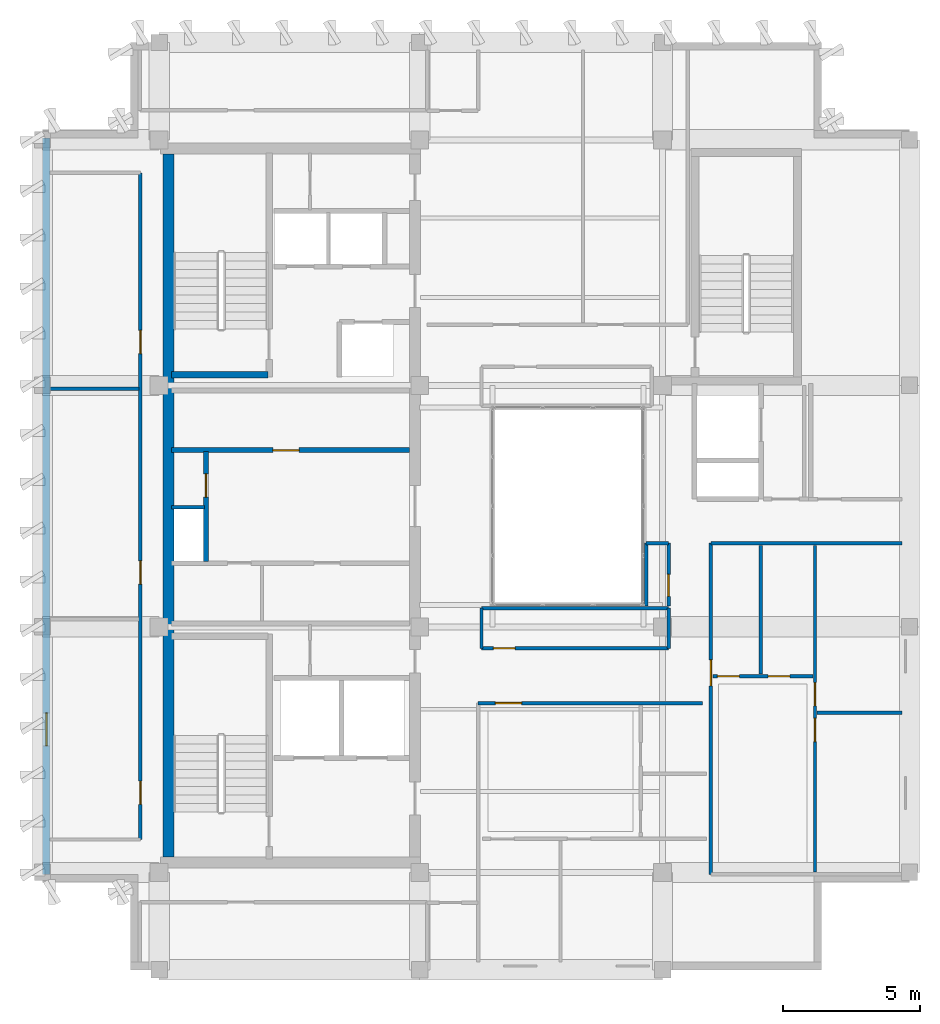
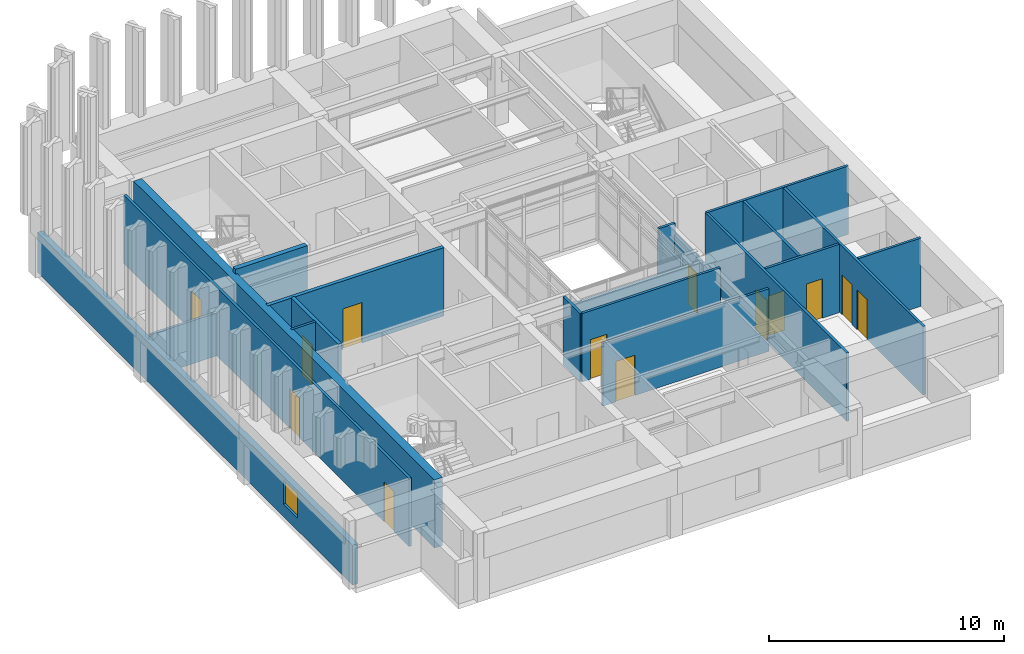
# One storey, part 7 of 11: 22 walls, 13 doors, 1 window, 14 openings.
"""IFC4 building model written with IfcOpenShell, lengths in metres."""

from ifc_helpers import new_model, si_unit, direction, frame, frame_2d, origin, place, context, subcontext, project, spatial, rectangle, extrude, material, layer, layer_set, type_object, element, fill, save


model = new_model("IFC4")

# Units and contexts
model_context = context("Model", 3, precision=1e-05, world=origin(), true_north=direction((0.0, 1.0)))
body_context = subcontext(model_context, "Body", "Model", "MODEL_VIEW")
ifc_project = project(units=[si_unit("LENGTHUNIT", "METRE"), si_unit("AREAUNIT", "SQUARE_METRE"), si_unit("VOLUMEUNIT", "CUBIC_METRE"), si_unit("PLANEANGLEUNIT", "RADIAN"), si_unit("MASSUNIT", "GRAM", prefix="KILO")], contexts=[model_context])

# Site, building, storey
site_placement = place(None, origin())
site = spatial("IfcSite", under=ifc_project, at=site_placement, CompositionType="ELEMENT")
building_placement = place(site_placement, origin())
building = spatial("IfcBuilding", under=site, at=building_placement, Name="Kundavana Baori Tower", CompositionType="ELEMENT")
storey_placement = place(building_placement, frame((0.0, 0.0, 346.699951171875)))
storey = spatial("IfcBuildingStorey", under=building, at=storey_placement, Name="L86", CompositionType="ELEMENT", Elevation=346.699951171875)

# Walls
ifc_material_1 = material(Name="Concrete C50/60", Category="concrete")
ifc_layer_1 = layer(ifc_material_1, 0.39990234375, Name="WL-CORE-400")
ifc_layer_set_1 = layer_set([ifc_layer_1], Name="Concrete C50/60")
wall_type_1 = type_object("IfcWallType", Name="WL-CORE-400", PredefinedType="SHEAR", material=ifc_layer_set_1)
wall_1_placement = place(storey_placement, frame((15.7900390625, 15.81005859375, 0.0), z_axis=(0.0, 0.0, 1.0), x_axis=(0.0, 1.0, 0.0)))
element("IfcWall", 1, at=wall_1_placement, inside=storey, type_object=wall_type_1, Name="L86 Offset Core West Shear Wall", PredefinedType="SHEAR", context=body_context, shape_type="SweptSolid", body=[
    extrude(rectangle(XDim=25.6298828125, YDim=0.39990234375, at=frame_2d((12.81494140625, 0.0))), origin(), (0.0, 0.0, 1.0), 3.550048828125),
])
wall_2_placement = place(storey_placement, frame((15.89990234375, 33.389892578125, 0.0), z_axis=(0.0, 0.0, 1.0), x_axis=(1.0, 0.0, 0.0)))
element("IfcWall", 2, at=wall_2_placement, inside=storey, type_object=wall_type_1, Name="WL-L86-ST2-S", PredefinedType="SHEAR", context=body_context, shape_type="SweptSolid", body=[
    extrude(rectangle(XDim=3.52001953125, YDim=0.239990234375, at=frame_2d((1.760009765625, 0.0))), origin(), (0.0, 0.0, 1.0), 3.800048828125),
])

# Wall, opening, window
ifc_material_2 = material(Name="Red-Buff Dholpur Sandstone Cladding on Concrete C40/50", Category="masonry")
ifc_layer_2 = layer(ifc_material_2, 0.280029296875, Name="WL-EXT-SAND-280")
ifc_layer_set_2 = layer_set([ifc_layer_2], Name="Red-Buff Dholpur Sandstone Cladding on Concrete C40/50")
wall_type_2 = type_object("IfcWallType", Name="WL-EXT-SAND-280", PredefinedType="STANDARD", material=ifc_layer_set_2)
wall_3_placement = place(storey_placement, frame((11.340087890625, 42.02001953125, 0.0), z_axis=(0.0, 0.0, 1.0), x_axis=(0.0, -1.0, 0.0)))
wall_3 = element("IfcWall", 3, at=wall_3_placement, inside=storey, type_object=wall_type_2, Name="L86 Exterior Insulated Facade Wall 10", PredefinedType="STANDARD", context=body_context, shape_type="SweptSolid", body=[
    extrude(rectangle(XDim=26.840087890625, YDim=0.280029296875, at=frame_2d((13.419921875, 0.0))), origin(), (0.0, 0.0, 1.0), 2.070068359375),
])
opening_1_placement = place(wall_3_placement, frame((20.955078125, 0.0, 0.64990234375)))
opening_1 = element("IfcOpeningElement", 4, at=opening_1_placement, cuts=wall_3, Name="Opening W-12", PredefinedType="OPENING", context=body_context, shape_type="SweptSolid", body=[
    extrude(rectangle(XDim=1.199951171875, YDim=1.25, at=frame_2d((0.60009765625, 0.625))), frame((0.0, 0.14990234375, 0.0), z_axis=(0.0, -1.0, 0.0), x_axis=(1.0, 0.0, 0.0)), (0.0, 0.0, 1.0), 0.300048828125),
])
ifc_material_3 = material(Name="Double-Glazed Solar-Control Low-E Insulated Glass", Category="glass")
window_type = type_object("IfcWindowType", Name="WIN-TRN-1200x1250", PartitioningType="SINGLE_PANEL", PredefinedType="WINDOW", material=ifc_material_3)
window_placement = place(opening_1_placement, origin())
window = element("IfcWindow", 5, at=window_placement, inside=storey, type_object=window_type, Name="L86 Dwelling Outlook Window DW-1", OverallHeight=1.25, OverallWidth=1.199951171875, PartitioningType="SINGLE_PANEL", PredefinedType="WINDOW", context=body_context, shape_type="SweptSolid", body=[
    extrude(rectangle(XDim=1.199951171875, YDim=1.25, at=frame_2d((0.60009765625, 0.625))), frame((0.0, 0.030029296875, 0.0), z_axis=(0.0, -1.0, 0.0), x_axis=(1.0, 0.0, 0.0)), (0.0, 0.0, 1.0), 0.06005859375),
])
fill(opening_1, window)

# Wall
ifc_material_4 = material(Name="Acoustic Gypsum Plasterboard on Galvanised Steel Studs", Category="steel")
ifc_layer_3 = layer(ifc_material_4, 0.1201171875, Name="WL-PART-120")
ifc_layer_set_3 = layer_set([ifc_layer_3], Name="Acoustic Gypsum Plasterboard on Galvanised Steel Studs")
wall_type_3 = type_object("IfcWallType", Name="WL-PART-120", PredefinedType="PARTITIONING", material=ifc_layer_set_3)
wall_4_placement = place(storey_placement, frame((15.89990234375, 28.56005859375, 0.0), z_axis=(0.0, 0.0, 1.0), x_axis=(1.0, 0.0, 0.0)))
element("IfcWall", 6, at=wall_4_placement, inside=storey, type_object=wall_type_3, Name="WL-L86-RSRW-N", PredefinedType="PARTITIONING", context=body_context, shape_type="SweptSolid", body=[
    extrude(rectangle(XDim=1.2001953125, YDim=0.1201171875, at=frame_2d((0.60009765625, 0.0))), origin(), (0.0, 0.0, 1.0), 3.550048828125),
])

# Wall, opening, door
ifc_material_5 = material(Name="Autoclaved Aerated Concrete Blockwork Masonry", Category="masonry")
ifc_layer_4 = layer(ifc_material_5, 0.179931640625, Name="WL-SHAFT-180")
ifc_layer_set_4 = layer_set([ifc_layer_4], Name="Autoclaved Aerated Concrete Blockwork Masonry")
wall_type_4 = type_object("IfcWallType", Name="WL-SHAFT-180", PredefinedType="SOLIDWALL", material=ifc_layer_set_4)
wall_5_placement = place(storey_placement, frame((17.159912109375, 26.580078125, 0.0), z_axis=(0.0, 0.0, 1.0), x_axis=(0.0, 1.0, 0.0)))
wall_5 = element("IfcWall", 7, at=wall_5_placement, inside=storey, type_object=wall_type_4, Name="WL-L86-RSRW-E", PredefinedType="SOLIDWALL", context=body_context, shape_type="SweptSolid", body=[
    extrude(rectangle(XDim=4.02001953125, YDim=0.179931640625, at=frame_2d((2.010009765625, 0.0))), origin(), (0.0, 0.0, 1.0), 3.550048828125),
])
opening_2_placement = place(wall_5_placement, frame((2.35009765625, 0.0, 0.0)))
opening_2 = element("IfcOpeningElement", 8, at=opening_2_placement, cuts=wall_5, Name="Opening FD-085", PredefinedType="OPENING", context=body_context, shape_type="SweptSolid", body=[
    extrude(rectangle(XDim=0.85009765625, YDim=2.06005859375, at=frame_2d((0.425048828125, 1.030029296875))), frame((0.0, 0.10009765625, 0.0), z_axis=(0.0, -1.0, 0.0), x_axis=(1.0, 0.0, 0.0)), (0.0, 0.0, 1.0), 0.199951171875),
])
ifc_material_6 = material(Name="Galvanised Steel Fire-Rated Door Leaf", Category="steel")
door_type_1 = type_object("IfcDoorType", Name="DR-FD60-850", OperationType="NOTDEFINED", PredefinedType="DOOR", material=ifc_material_6)
door_1_placement = place(opening_2_placement, origin())
door_1 = element("IfcDoor", 9, at=door_1_placement, inside=storey, type_object=door_type_1, Name="DR-L86-CLN", OperationType="SINGLE_SWING_RIGHT", OverallHeight=2.06005859375, OverallWidth=0.85009765625, PredefinedType="DOOR", context=body_context, shape_type="SweptSolid", body=[
    extrude(rectangle(XDim=0.85009765625, YDim=2.06005859375, at=frame_2d((0.425048828125, 1.030029296875))), frame((0.0, 0.02490234375, 0.0), z_axis=(0.0, -1.0, 0.0), x_axis=(1.0, 0.0, 0.0)), (0.0, 0.0, 1.0), 0.050048828125),
])
fill(opening_2, door_1)

wall_6_placement = place(storey_placement, frame((15.89990234375, 30.639892578125, 0.0), z_axis=(0.0, 0.0, 1.0), x_axis=(1.0, 0.0, 0.0)))
wall_6 = element("IfcWall", 10, at=wall_6_placement, inside=storey, type_object=wall_type_4, Name="WL-L86-LPMID-S", PredefinedType="SOLIDWALL", context=body_context, shape_type="SweptSolid", body=[
    extrude(rectangle(XDim=8.68017578125, YDim=0.179931640625, at=frame_2d((4.340087890625, 0.0))), origin(), (0.0, 0.0, 1.0), 3.550048828125),
])
opening_3_placement = place(wall_6_placement, frame((3.699951171875, 0.0, 0.0)))
opening_3 = element("IfcOpeningElement", 11, at=opening_3_placement, cuts=wall_6, Name="Opening FD-095", PredefinedType="OPENING", context=body_context, shape_type="SweptSolid", body=[
    extrude(rectangle(XDim=0.949951171875, YDim=2.10009765625, at=frame_2d((0.47509765625, 1.050048828125))), frame((0.0, 0.10009765625, 0.0), z_axis=(0.0, -1.0, 0.0), x_axis=(1.0, 0.0, 0.0)), (0.0, 0.0, 1.0), 0.199951171875),
])
ifc_material_7 = material(Name="Engineered Teak Fire-Rated Timber Door Leaf", Category="wood")
door_type_2 = type_object("IfcDoorType", Name="DR-FD60-950", OperationType="NOTDEFINED", PredefinedType="DOOR", material=ifc_material_7)
door_2_placement = place(opening_3_placement, frame((0.949951171875, 0.0, 0.0), z_axis=(0.0, 0.0, 1.0), x_axis=(-1.0, 0.0, 0.0)))
door_2 = element("IfcDoor", 12, at=door_2_placement, inside=storey, type_object=door_type_2, Name="DR-L86-FRMID1", OperationType="SINGLE_SWING_RIGHT", OverallHeight=2.10009765625, OverallWidth=0.949951171875, PredefinedType="DOOR", context=body_context, shape_type="SweptSolid", body=[
    extrude(rectangle(XDim=0.949951171875, YDim=2.10009765625, at=frame_2d((0.47509765625, 1.050048828125))), frame((0.0, 0.02490234375, 0.0), z_axis=(0.0, -1.0, 0.0), x_axis=(1.0, 0.0, 0.0)), (0.0, 0.0, 1.0), 0.050048828125),
])
fill(opening_3, door_2)

ifc_material_8 = material(Name="Autoclaved Aerated Concrete Blockwork Masonry", Category="masonry")
ifc_layer_5 = layer(ifc_material_8, 0.125, Name="WL-WET-120")
ifc_layer_set_5 = layer_set([ifc_layer_5], Name="Autoclaved Aerated Concrete Blockwork Masonry")
wall_type_5 = type_object("IfcWallType", Name="WL-WET-120", PredefinedType="PLUMBINGWALL", material=ifc_layer_set_5)
wall_7_placement = place(storey_placement, frame((27.080078125, 21.419921875, 0.0), z_axis=(0.0, 0.0, 1.0), x_axis=(1.0, 0.0, 0.0)))
wall_7 = element("IfcWall", 13, at=wall_7_placement, inside=storey, type_object=wall_type_5, Name="WL-L86-RS", PredefinedType="PLUMBINGWALL", context=body_context, shape_type="SweptSolid", body=[
    extrude(rectangle(XDim=8.169921875, YDim=0.125, at=frame_2d((4.0849609375, 0.0))), origin(), (0.0, 0.0, 1.0), 3.25),
])
opening_4_placement = place(wall_7_placement, frame((0.6298828125, 0.0, 0.0)))
opening_4 = element("IfcOpeningElement", 14, at=opening_4_placement, cuts=wall_7, Name="Opening FD-095", PredefinedType="OPENING", context=body_context, shape_type="SweptSolid", body=[
    extrude(rectangle(XDim=0.949951171875, YDim=2.10009765625, at=frame_2d((0.47509765625, 1.050048828125))), frame((0.0, 0.072509765625, 0.0), z_axis=(0.0, -1.0, 0.0), x_axis=(1.0, 0.0, 0.0)), (0.0, 0.0, 1.0), 0.14501953125),
])
door_3_placement = place(opening_4_placement, frame((0.949951171875, 0.0, 0.0), z_axis=(0.0, 0.0, 1.0), x_axis=(-1.0, 0.0, 0.0)))
door_3 = element("IfcDoor", 15, at=door_3_placement, inside=storey, type_object=door_type_2, Name="DR-L86-S1-ENT", OperationType="SINGLE_SWING_RIGHT", OverallHeight=2.10009765625, OverallWidth=0.949951171875, PredefinedType="DOOR", context=body_context, shape_type="SweptSolid", body=[
    extrude(rectangle(XDim=0.949951171875, YDim=2.10009765625, at=frame_2d((0.47509765625, 1.050048828125))), frame((0.0, 0.02490234375, 0.0), z_axis=(0.0, -1.0, 0.0), x_axis=(1.0, 0.0, 0.0)), (0.0, 0.0, 1.0), 0.050048828125),
])
fill(opening_4, door_3)

# Wall, openings, doors
wall_8_placement = place(storey_placement, frame((14.77001953125, 16.449951171875, 0.0), z_axis=(0.0, 0.0, 1.0), x_axis=(0.0, 1.0, 0.0)))
wall_8 = element("IfcWall", 16, at=wall_8_placement, inside=storey, type_object=wall_type_5, Name="WL-L86-RW", PredefinedType="PLUMBINGWALL", context=body_context, shape_type="SweptSolid", body=[
    extrude(rectangle(XDim=24.300048828125, YDim=0.125, at=frame_2d((12.14990234375, 0.0))), origin(), (0.0, 0.0, 1.0), 3.550048828125),
])
opening_5_placement = place(wall_8_placement, frame((1.280029296875, 0.0, 0.0)))
opening_5 = element("IfcOpeningElement", 17, at=opening_5_placement, cuts=wall_8, Name="Opening ID-085", PredefinedType="OPENING", context=body_context, shape_type="SweptSolid", body=[
    extrude(rectangle(XDim=0.85009765625, YDim=2.080078125, at=frame_2d((0.425048828125, 1.0400390625))), frame((0.0, 0.072509765625, 0.0), z_axis=(0.0, -1.0, 0.0), x_axis=(1.0, 0.0, 0.0)), (0.0, 0.0, 1.0), 0.14501953125),
])
opening_6_placement = place(wall_8_placement, frame((9.31005859375, 0.0, 0.0)))
opening_6 = element("IfcOpeningElement", 18, at=opening_6_placement, cuts=wall_8, Name="Opening ID-085", PredefinedType="OPENING", context=body_context, shape_type="SweptSolid", body=[
    extrude(rectangle(XDim=0.85009765625, YDim=2.080078125, at=frame_2d((0.425048828125, 1.0400390625))), frame((0.0, 0.072509765625, 0.0), z_axis=(0.0, -1.0, 0.0), x_axis=(1.0, 0.0, 0.0)), (0.0, 0.0, 1.0), 0.14501953125),
])
opening_7_placement = place(wall_8_placement, frame((17.7099609375, 0.0, 0.0)))
opening_7 = element("IfcOpeningElement", 19, at=opening_7_placement, cuts=wall_8, Name="Opening ID-085", PredefinedType="OPENING", context=body_context, shape_type="SweptSolid", body=[
    extrude(rectangle(XDim=0.85009765625, YDim=2.080078125, at=frame_2d((0.425048828125, 1.0400390625))), frame((0.0, 0.072509765625, 0.0), z_axis=(0.0, -1.0, 0.0), x_axis=(1.0, 0.0, 0.0)), (0.0, 0.0, 1.0), 0.14501953125),
])
ifc_material_9 = material(Name="Engineered Teak Solid-Core Timber Veneer", Category="wood")
door_type_3 = type_object("IfcDoorType", Name="DR-INT-850", OperationType="NOTDEFINED", PredefinedType="DOOR", material=ifc_material_9)
door_4_placement = place(opening_5_placement, origin())
door_4 = element("IfcDoor", 20, at=door_4_placement, inside=storey, type_object=door_type_3, Name="DR-L86-RLNGW1", OperationType="SINGLE_SWING_LEFT", OverallHeight=2.080078125, OverallWidth=0.85009765625, PredefinedType="DOOR", context=body_context, shape_type="SweptSolid", body=[
    extrude(rectangle(XDim=0.85009765625, YDim=2.080078125, at=frame_2d((0.425048828125, 1.0400390625))), frame((0.0, 0.02490234375, 0.0), z_axis=(0.0, -1.0, 0.0), x_axis=(1.0, 0.0, 0.0)), (0.0, 0.0, 1.0), 0.050048828125),
])
fill(opening_5, door_4)
door_5_placement = place(opening_6_placement, origin())
door_5 = element("IfcDoor", 21, at=door_5_placement, inside=storey, type_object=door_type_3, Name="DR-L86-RLNGW2", OperationType="SINGLE_SWING_LEFT", OverallHeight=2.080078125, OverallWidth=0.85009765625, PredefinedType="DOOR", context=body_context, shape_type="SweptSolid", body=[
    extrude(rectangle(XDim=0.85009765625, YDim=2.080078125, at=frame_2d((0.425048828125, 1.0400390625))), frame((0.0, 0.02490234375, 0.0), z_axis=(0.0, -1.0, 0.0), x_axis=(1.0, 0.0, 0.0)), (0.0, 0.0, 1.0), 0.050048828125),
])
fill(opening_6, door_5)
door_6_placement = place(opening_7_placement, origin())
door_6 = element("IfcDoor", 22, at=door_6_placement, inside=storey, type_object=door_type_3, Name="DR-L86-RLNGW3", OperationType="SINGLE_SWING_LEFT", OverallHeight=2.080078125, OverallWidth=0.85009765625, PredefinedType="DOOR", context=body_context, shape_type="SweptSolid", body=[
    extrude(rectangle(XDim=0.85009765625, YDim=2.080078125, at=frame_2d((0.425048828125, 1.0400390625))), frame((0.0, 0.02490234375, 0.0), z_axis=(0.0, -1.0, 0.0), x_axis=(1.0, 0.0, 0.0)), (0.0, 0.0, 1.0), 0.050048828125),
])
fill(opening_7, door_6)

# Wall
wall_9_placement = place(storey_placement, frame((11.47998046875, 32.8798828125, 0.0), z_axis=(0.0, 0.0, 1.0), x_axis=(1.0, 0.0, 0.0)))
element("IfcWall", 23, at=wall_9_placement, inside=storey, type_object=wall_type_5, Name="WL-L86-RWD85-3", PredefinedType="PLUMBINGWALL", context=body_context, shape_type="SweptSolid", body=[
    extrude(rectangle(XDim=3.22998046875, YDim=0.125, at=frame_2d((1.614990234375, 0.0))), origin(), (0.0, 0.0, 1.0), 2.22998046875),
])

# Wall, opening, door
wall_10_placement = place(storey_placement, frame((35.56005859375, 15.179931640625, 0.0), z_axis=(0.0, 0.0, 1.0), x_axis=(0.0, 1.0, 0.0)))
wall_10 = element("IfcWall", 24, at=wall_10_placement, inside=storey, type_object=wall_type_5, Name="WL-L86-CSE", PredefinedType="PLUMBINGWALL", context=body_context, shape_type="SweptSolid", body=[
    extrude(rectangle(XDim=12.070068359375, YDim=0.125, at=frame_2d((6.03515625, 0.0))), origin(), (0.0, 0.0, 1.0), 3.550048828125),
])
opening_8_placement = place(wall_10_placement, frame((6.8701171875, 0.0, 0.0)))
opening_8 = element("IfcOpeningElement", 25, at=opening_8_placement, cuts=wall_10, Name="Opening FD-095", PredefinedType="OPENING", context=body_context, shape_type="SweptSolid", body=[
    extrude(rectangle(XDim=0.949951171875, YDim=2.10009765625, at=frame_2d((0.47509765625, 1.050048828125))), frame((0.0, 0.072509765625, 0.0), z_axis=(0.0, -1.0, 0.0), x_axis=(1.0, 0.0, 0.0)), (0.0, 0.0, 1.0), 0.14501953125),
])
door_7_placement = place(opening_8_placement, origin())
door_7 = element("IfcDoor", 26, at=door_7_placement, inside=storey, type_object=door_type_2, Name="DR-L86-SE1-ENT", OperationType="SINGLE_SWING_LEFT", OverallHeight=2.10009765625, OverallWidth=0.949951171875, PredefinedType="DOOR", context=body_context, shape_type="SweptSolid", body=[
    extrude(rectangle(XDim=0.949951171875, YDim=2.10009765625, at=frame_2d((0.47509765625, 1.050048828125))), frame((0.0, 0.02490234375, 0.0), z_axis=(0.0, -1.0, 0.0), x_axis=(1.0, 0.0, 0.0)), (0.0, 0.0, 1.0), 0.050048828125),
])
fill(opening_8, door_7)

# Wall
wall_11_placement = place(storey_placement, frame((35.56005859375, 27.25, 0.0), z_axis=(0.0, 0.0, 1.0), x_axis=(1.0, 0.0, 0.0)))
element("IfcWall", 27, at=wall_11_placement, inside=storey, type_object=wall_type_5, Name="WL-L86-CSEN", PredefinedType="PLUMBINGWALL", context=body_context, shape_type="SweptSolid", body=[
    extrude(rectangle(XDim=6.9599609375, YDim=0.125, at=frame_2d((3.47998046875, 0.0))), origin(), (0.0, 0.0, 1.0), 3.550048828125),
])

# Wall, openings, doors
wall_12_placement = place(storey_placement, frame((39.35498046875, 15.260009765625, 0.0), z_axis=(0.0, 0.0, 1.0), x_axis=(0.0, 1.0, 0.0)))
wall_12 = element("IfcWall", 28, at=wall_12_placement, inside=storey, type_object=wall_type_5, Name="WL-L86-SE1-VT", PredefinedType="PLUMBINGWALL", context=body_context, shape_type="SweptSolid", body=[
    extrude(rectangle(XDim=11.909912109375, YDim=0.125, at=frame_2d((5.955078125, 0.0))), origin(), (0.0, 0.0, 1.0), 3.550048828125),
])
opening_9_placement = place(wall_12_placement, frame((4.760009765625, 0.0, 0.0)))
opening_9 = element("IfcOpeningElement", 29, at=opening_9_placement, cuts=wall_12, Name="Opening ID-085", PredefinedType="OPENING", context=body_context, shape_type="SweptSolid", body=[
    extrude(rectangle(XDim=0.85009765625, YDim=2.080078125, at=frame_2d((0.425048828125, 1.0400390625))), frame((0.0, 0.072509765625, 0.0), z_axis=(0.0, -1.0, 0.0), x_axis=(1.0, 0.0, 0.0)), (0.0, 0.0, 1.0), 0.14501953125),
])
opening_10_placement = place(wall_12_placement, frame((6.06005859375, 0.0, 0.0)))
opening_10 = element("IfcOpeningElement", 30, at=opening_10_placement, cuts=wall_12, Name="Opening ID-085", PredefinedType="OPENING", context=body_context, shape_type="SweptSolid", body=[
    extrude(rectangle(XDim=0.85009765625, YDim=2.080078125, at=frame_2d((0.425048828125, 1.0400390625))), frame((0.0, 0.072509765625, 0.0), z_axis=(0.0, -1.0, 0.0), x_axis=(1.0, 0.0, 0.0)), (0.0, 0.0, 1.0), 0.14501953125),
])
door_8_placement = place(opening_9_placement, origin())
door_8 = element("IfcDoor", 31, at=door_8_placement, inside=storey, type_object=door_type_3, Name="DR-L86-SE1-B1", OperationType="SINGLE_SWING_LEFT", OverallHeight=2.080078125, OverallWidth=0.85009765625, PredefinedType="DOOR", context=body_context, shape_type="SweptSolid", body=[
    extrude(rectangle(XDim=0.85009765625, YDim=2.080078125, at=frame_2d((0.425048828125, 1.0400390625))), frame((0.0, 0.02490234375, 0.0), z_axis=(0.0, -1.0, 0.0), x_axis=(1.0, 0.0, 0.0)), (0.0, 0.0, 1.0), 0.050048828125),
])
fill(opening_9, door_8)
door_9_placement = place(opening_10_placement, origin())
door_9 = element("IfcDoor", 32, at=door_9_placement, inside=storey, type_object=door_type_3, Name="DR-L86-SE1-B2", OperationType="SINGLE_SWING_RIGHT", OverallHeight=2.080078125, OverallWidth=0.85009765625, PredefinedType="DOOR", context=body_context, shape_type="SweptSolid", body=[
    extrude(rectangle(XDim=0.85009765625, YDim=2.080078125, at=frame_2d((0.425048828125, 1.0400390625))), frame((0.0, 0.02490234375, 0.0), z_axis=(0.0, -1.0, 0.0), x_axis=(1.0, 0.0, 0.0)), (0.0, 0.0, 1.0), 0.050048828125),
])
fill(opening_10, door_9)

wall_13_placement = place(storey_placement, frame((35.639892578125, 22.39990234375, 0.0), z_axis=(0.0, 0.0, 1.0), x_axis=(1.0, 0.0, 0.0)))
wall_13 = element("IfcWall", 33, at=wall_13_placement, inside=storey, type_object=wall_type_5, Name="WL-L86-SE1-KH", PredefinedType="PLUMBINGWALL", context=body_context, shape_type="SweptSolid", body=[
    extrude(rectangle(XDim=3.635009765625, YDim=0.125, at=frame_2d((1.8173828125, 0.0))), origin(), (0.0, 0.0, 1.0), 3.550048828125),
])
opening_11_placement = place(wall_13_placement, frame((0.159912109375, 0.0, 0.0)))
opening_11 = element("IfcOpeningElement", 34, at=opening_11_placement, cuts=wall_13, Name="Opening WD-080", PredefinedType="OPENING", context=body_context, shape_type="SweptSolid", body=[
    extrude(rectangle(XDim=0.800048828125, YDim=2.050048828125, at=frame_2d((0.39990234375, 1.02490234375))), frame((0.0, 0.072509765625, 0.0), z_axis=(0.0, -1.0, 0.0), x_axis=(1.0, 0.0, 0.0)), (0.0, 0.0, 1.0), 0.14501953125),
])
opening_12_placement = place(wall_13_placement, frame((2.0048828125, 0.0, 0.0)))
opening_12 = element("IfcOpeningElement", 35, at=opening_12_placement, cuts=wall_13, Name="Opening WD-080", PredefinedType="OPENING", context=body_context, shape_type="SweptSolid", body=[
    extrude(rectangle(XDim=0.800048828125, YDim=2.050048828125, at=frame_2d((0.39990234375, 1.02490234375))), frame((0.0, 0.072509765625, 0.0), z_axis=(0.0, -1.0, 0.0), x_axis=(1.0, 0.0, 0.0)), (0.0, 0.0, 1.0), 0.14501953125),
])
ifc_material_10 = material(Name="Engineered Teak Solid-Core Timber Veneer", Category="wood")
door_type_4 = type_object("IfcDoorType", Name="DR-WET-800", OperationType="NOTDEFINED", PredefinedType="DOOR", material=ifc_material_10)
door_10_placement = place(opening_11_placement, origin())
door_10 = element("IfcDoor", 36, at=door_10_placement, inside=storey, type_object=door_type_4, Name="DR-L86-SE1-BT", OperationType="SINGLE_SWING_LEFT", OverallHeight=2.050048828125, OverallWidth=0.800048828125, PredefinedType="DOOR", context=body_context, shape_type="SweptSolid", body=[
    extrude(rectangle(XDim=0.800048828125, YDim=2.050048828125, at=frame_2d((0.39990234375, 1.02490234375))), frame((0.0, 0.02490234375, 0.0), z_axis=(0.0, -1.0, 0.0), x_axis=(1.0, 0.0, 0.0)), (0.0, 0.0, 1.0), 0.050048828125),
])
fill(opening_11, door_10)
door_11_placement = place(opening_12_placement, origin())
door_11 = element("IfcDoor", 37, at=door_11_placement, inside=storey, type_object=door_type_4, Name="DR-L86-SE1-KT", OperationType="SINGLE_SWING_RIGHT", OverallHeight=2.050048828125, OverallWidth=0.800048828125, PredefinedType="DOOR", context=body_context, shape_type="SweptSolid", body=[
    extrude(rectangle(XDim=0.800048828125, YDim=2.050048828125, at=frame_2d((0.39990234375, 1.02490234375))), frame((0.0, 0.02490234375, 0.0), z_axis=(0.0, -1.0, 0.0), x_axis=(1.0, 0.0, 0.0)), (0.0, 0.0, 1.0), 0.050048828125),
])
fill(opening_12, door_11)

# Walls
wall_14_placement = place(storey_placement, frame((37.385009765625, 22.47998046875, 0.0), z_axis=(0.0, 0.0, 1.0), x_axis=(0.0, 1.0, 0.0)))
element("IfcWall", 38, at=wall_14_placement, inside=storey, type_object=wall_type_5, Name="WL-L86-SE1-BV", PredefinedType="PLUMBINGWALL", context=body_context, shape_type="SweptSolid", body=[
    extrude(rectangle(XDim=4.68994140625, YDim=0.125, at=frame_2d((2.344970703125, 0.0))), origin(), (0.0, 0.0, 1.0), 3.550048828125),
])
wall_15_placement = place(storey_placement, frame((39.43505859375, 21.070068359375, 0.0), z_axis=(0.0, 0.0, 1.0), x_axis=(1.0, 0.0, 0.0)))
element("IfcWall", 39, at=wall_15_placement, inside=storey, type_object=wall_type_5, Name="WL-L86-SE1-BDH", PredefinedType="PLUMBINGWALL", context=body_context, shape_type="SweptSolid", body=[
    extrude(rectangle(XDim=3.0849609375, YDim=0.125, at=frame_2d((1.54248046875, 0.0))), origin(), (0.0, 0.0, 1.0), 3.550048828125),
])

# Wall, opening, door
wall_16_placement = place(storey_placement, frame((27.199951171875, 23.419921875, 0.0), z_axis=(0.0, 0.0, 1.0), x_axis=(1.0, 0.0, 0.0)))
wall_16 = element("IfcWall", 40, at=wall_16_placement, inside=storey, type_object=wall_type_5, Name="WL-L86-ALS", PredefinedType="PLUMBINGWALL", context=body_context, shape_type="SweptSolid", body=[
    extrude(rectangle(XDim=6.820068359375, YDim=0.125, at=frame_2d((3.41015625, 0.0))), origin(), (0.0, 0.0, 1.0), 3.550048828125),
])
opening_13_placement = place(wall_16_placement, frame((0.429931640625, 0.0, 0.0)))
opening_13 = element("IfcOpeningElement", 41, at=opening_13_placement, cuts=wall_16, Name="Opening WD-080", PredefinedType="OPENING", context=body_context, shape_type="SweptSolid", body=[
    extrude(rectangle(XDim=0.800048828125, YDim=2.050048828125, at=frame_2d((0.39990234375, 1.02490234375))), frame((0.0, 0.072509765625, 0.0), z_axis=(0.0, -1.0, 0.0), x_axis=(1.0, 0.0, 0.0)), (0.0, 0.0, 1.0), 0.14501953125),
])
door_12_placement = place(opening_13_placement, origin())
door_12 = element("IfcDoor", 42, at=door_12_placement, inside=storey, type_object=door_type_4, Name="DR-L86-RALC1", OperationType="SINGLE_SWING_LEFT", OverallHeight=2.050048828125, OverallWidth=0.800048828125, PredefinedType="DOOR", context=body_context, shape_type="SweptSolid", body=[
    extrude(rectangle(XDim=0.800048828125, YDim=2.050048828125, at=frame_2d((0.39990234375, 1.02490234375))), frame((0.0, 0.02490234375, 0.0), z_axis=(0.0, -1.0, 0.0), x_axis=(1.0, 0.0, 0.0)), (0.0, 0.0, 1.0), 0.050048828125),
])
fill(opening_13, door_12)

# Walls
wall_17_placement = place(storey_placement, frame((27.199951171875, 24.8798828125, 0.0), z_axis=(0.0, 0.0, 1.0), x_axis=(1.0, 0.0, 0.0)))
element("IfcWall", 43, at=wall_17_placement, inside=storey, type_object=wall_type_5, Name="WL-L86-ALN", PredefinedType="PLUMBINGWALL", context=body_context, shape_type="SweptSolid", body=[
    extrude(rectangle(XDim=6.820068359375, YDim=0.125, at=frame_2d((3.41015625, 0.0))), origin(), (0.0, 0.0, 1.0), 3.0),
])
wall_18_placement = place(storey_placement, frame((27.199951171875, 23.419921875, 0.0), z_axis=(0.0, 0.0, 1.0), x_axis=(0.0, 1.0, 0.0)))
element("IfcWall", 44, at=wall_18_placement, inside=storey, type_object=wall_type_5, Name="WL-L86-ALW", PredefinedType="PLUMBINGWALL", context=body_context, shape_type="SweptSolid", body=[
    extrude(rectangle(XDim=1.4599609375, YDim=0.125, at=frame_2d((0.72998046875, 0.0))), origin(), (0.0, 0.0, 1.0), 3.550048828125),
])
wall_19_placement = place(storey_placement, frame((34.02001953125, 23.419921875, 0.0), z_axis=(0.0, 0.0, 1.0), x_axis=(0.0, 1.0, 0.0)))
element("IfcWall", 45, at=wall_19_placement, inside=storey, type_object=wall_type_5, Name="WL-L86-ALE", PredefinedType="PLUMBINGWALL", context=body_context, shape_type="SweptSolid", body=[
    extrude(rectangle(XDim=1.4599609375, YDim=0.125, at=frame_2d((0.72998046875, 0.0))), origin(), (0.0, 0.0, 1.0), 2.949951171875),
])
wall_20_placement = place(storey_placement, frame((33.199951171875, 24.9599609375, 0.0), z_axis=(0.0, 0.0, 1.0), x_axis=(0.0, 1.0, 0.0)))
element("IfcWall", 46, at=wall_20_placement, inside=storey, type_object=wall_type_5, Name="WL-L86-CEAW", PredefinedType="PLUMBINGWALL", context=body_context, shape_type="SweptSolid", body=[
    extrude(rectangle(XDim=2.2900390625, YDim=0.125, at=frame_2d((1.14501953125, 0.0))), origin(), (0.0, 0.0, 1.0), 3.0),
])

# Wall, opening, door
wall_21_placement = place(storey_placement, frame((34.02001953125, 24.9599609375, 0.0), z_axis=(0.0, 0.0, 1.0), x_axis=(0.0, 1.0, 0.0)))
wall_21 = element("IfcWall", 47, at=wall_21_placement, inside=storey, type_object=wall_type_5, Name="WL-L86-CEAE", PredefinedType="PLUMBINGWALL", context=body_context, shape_type="SweptSolid", body=[
    extrude(rectangle(XDim=2.2900390625, YDim=0.125, at=frame_2d((1.14501953125, 0.0))), origin(), (0.0, 0.0, 1.0), 2.949951171875),
])
opening_14_placement = place(wall_21_placement, frame((0.35009765625, 0.0, 0.0)))
opening_14 = element("IfcOpeningElement", 48, at=opening_14_placement, cuts=wall_21, Name="Opening WD-080", PredefinedType="OPENING", context=body_context, shape_type="SweptSolid", body=[
    extrude(rectangle(XDim=0.800048828125, YDim=2.050048828125, at=frame_2d((0.39990234375, 1.02490234375))), frame((0.0, 0.072509765625, 0.0), z_axis=(0.0, -1.0, 0.0), x_axis=(1.0, 0.0, 0.0)), (0.0, 0.0, 1.0), 0.14501953125),
])
door_13_placement = place(opening_14_placement, origin())
door_13 = element("IfcDoor", 49, at=door_13_placement, inside=storey, type_object=door_type_4, Name="DR-L86-CSTE", OperationType="SINGLE_SWING_LEFT", OverallHeight=2.050048828125, OverallWidth=0.800048828125, PredefinedType="DOOR", context=body_context, shape_type="SweptSolid", body=[
    extrude(rectangle(XDim=0.800048828125, YDim=2.050048828125, at=frame_2d((0.39990234375, 1.02490234375))), frame((0.0, 0.02490234375, 0.0), z_axis=(0.0, -1.0, 0.0), x_axis=(1.0, 0.0, 0.0)), (0.0, 0.0, 1.0), 0.050048828125),
])
fill(opening_14, door_13)

# Wall
wall_22_placement = place(storey_placement, frame((33.199951171875, 27.25, 0.0), z_axis=(0.0, 0.0, 1.0), x_axis=(1.0, 0.0, 0.0)))
element("IfcWall", 50, at=wall_22_placement, inside=storey, type_object=wall_type_5, Name="WL-L86-CEAN", PredefinedType="PLUMBINGWALL", context=body_context, shape_type="SweptSolid", body=[
    extrude(rectangle(XDim=0.820068359375, YDim=0.125, at=frame_2d((0.41015625, 0.0))), origin(), (0.0, 0.0, 1.0), 3.550048828125),
])

save(model, "model.ifc")
